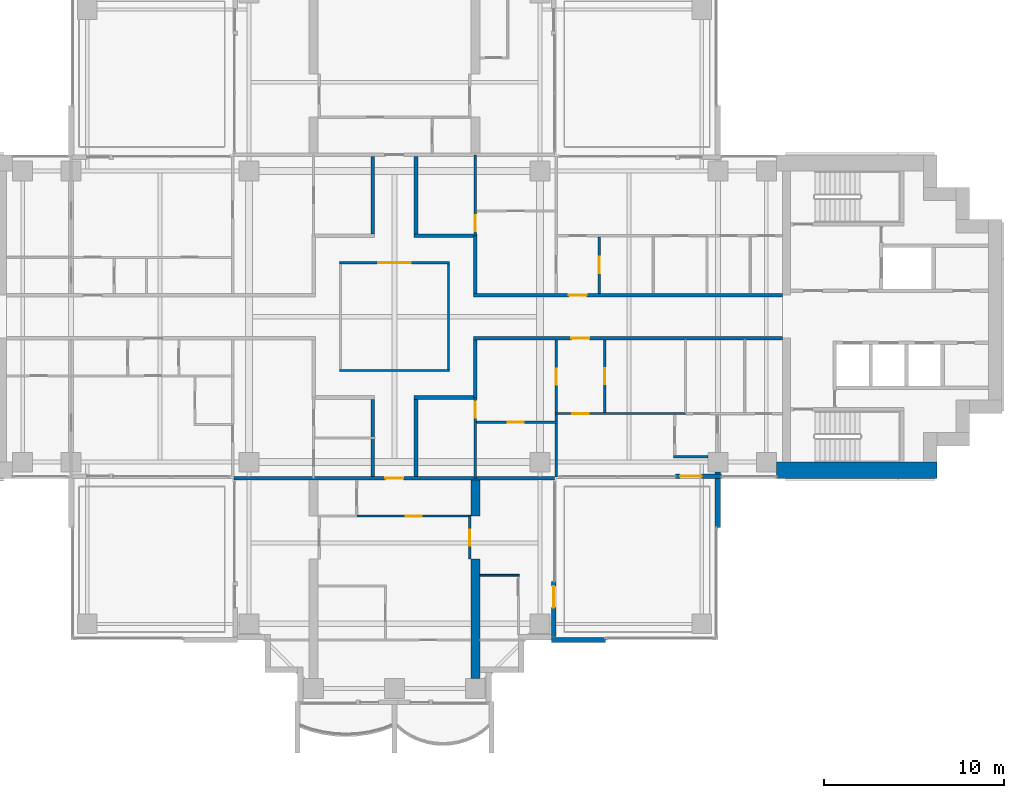
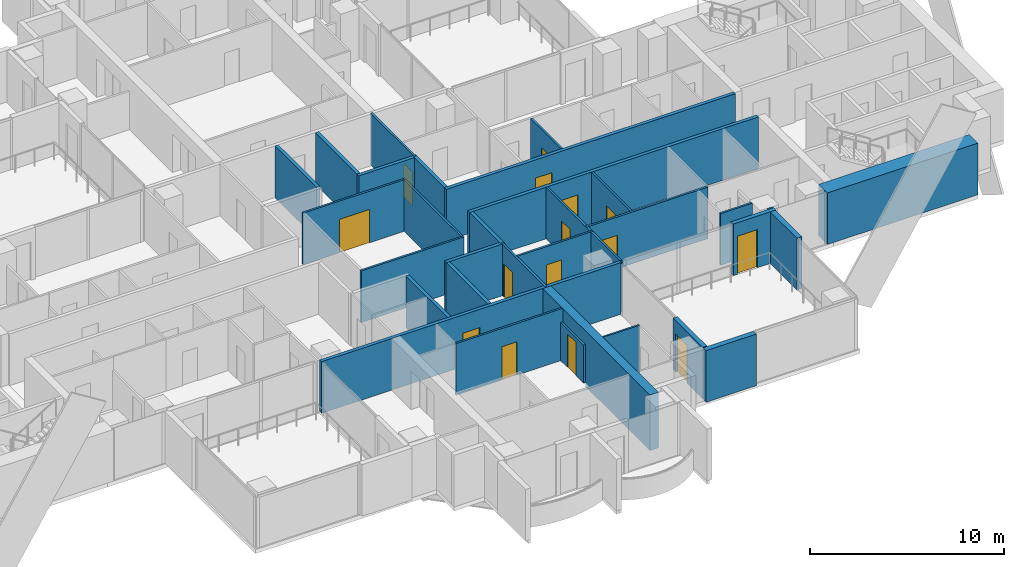
# One storey, part 11 of 19: 31 walls, 15 doors, 15 openings.
"""IFC4 building model written with IfcOpenShell, lengths in metres."""

from ifc_helpers import new_model, si_unit, direction, frame, frame_2d, origin, place, context, subcontext, project, spatial, polyline, rectangle, outline, extrude, material, layer, layer_set, material_profile, profile_set, type_object, element, fill, save


model = new_model("IFC4")

# Units and contexts
model_context = context("Model", 3, precision=1e-05, world=origin(), true_north=direction((0.0, 1.0)))
body_context = subcontext(model_context, "Body", "Model", "MODEL_VIEW")
ifc_project = project(units=[si_unit("LENGTHUNIT", "METRE"), si_unit("AREAUNIT", "SQUARE_METRE"), si_unit("VOLUMEUNIT", "CUBIC_METRE"), si_unit("PLANEANGLEUNIT", "RADIAN"), si_unit("MASSUNIT", "GRAM", prefix="KILO")], contexts=[model_context])

# Site, building, storey
site_placement = place(None, origin())
site = spatial("IfcSite", under=ifc_project, at=site_placement, CompositionType="ELEMENT")
building_placement = place(site_placement, origin())
building = spatial("IfcBuilding", under=site, at=building_placement, Name="Perihelion Cross Residences", CompositionType="ELEMENT")
storey_placement = place(building_placement, frame((0.0, 0.0, 116.39990234375)))
storey = spatial("IfcBuildingStorey", under=building, at=storey_placement, Name="L27", CompositionType="ELEMENT", Elevation=116.39990234375)

# Wall, opening, door
ifc_material_1 = material(Name="Plasterboard partition")
ifc_layer_1 = layer(ifc_material_1, 0.199951171875)
ifc_layer_set_1 = layer_set([ifc_layer_1], Name="Apartment separation wall 200")
wall_type_1 = type_object("IfcWallType", Name="Apartment separation wall 200", PredefinedType="PARTITIONING", material=ifc_layer_set_1)
wall_1_placement = place(storey_placement, frame((4.39990234375, 1.199951171875, 0.0), z_axis=(0.0, 0.0, 1.0), x_axis=(1.0, 0.0, 0.0)))
wall_1 = element("IfcWall", 1, at=wall_1_placement, inside=storey, type_object=wall_type_1, Name="Partition L27 W005", PredefinedType="PARTITIONING", context=body_context, shape_type="SweptSolid", body=[
    extrude(rectangle(XDim=17.2001953125, YDim=0.199951171875, at=frame_2d((8.60009765625, 0.0))), origin(), (0.0, 0.0, 1.0), 3.25),
])
opening_1_placement = place(wall_1_placement, frame((5.300048828125, 0.0, 0.0)))
opening_1 = element("IfcOpeningElement", 2, at=opening_1_placement, cuts=wall_1, Name="Opening L27.A49", PredefinedType="OPENING", context=body_context, shape_type="SweptSolid", body=[
    extrude(rectangle(XDim=1.0, YDim=2.10009765625, at=frame_2d((0.5, 1.050048828125))), frame((0.0, 0.10986328125, 0.0), z_axis=(0.0, -1.0, 0.0), x_axis=(1.0, 0.0, 0.0)), (0.0, 0.0, 1.0), 0.219970703125),
])
ifc_material_2 = material(Name="Timber door leaf", Category="wood")
door_type_1 = type_object("IfcDoorType", Name="Flat entrance door 1000 x 2100", OperationType="SINGLE_SWING_LEFT", PredefinedType="DOOR", material=ifc_material_2)
door_1_placement = place(opening_1_placement, origin())
door_1 = element("IfcDoor", 3, at=door_1_placement, inside=storey, type_object=door_type_1, Name="Door L27.A49", OperationType="SINGLE_SWING_RIGHT", OverallHeight=2.10009765625, OverallWidth=1.0, PredefinedType="DOOR", context=body_context, shape_type="SweptSolid", body=[
    extrude(rectangle(XDim=1.0, YDim=2.10009765625, at=frame_2d((0.5, 1.050048828125))), frame((0.0, 0.02490234375, 0.0), z_axis=(0.0, -1.0, 0.0), x_axis=(1.0, 0.0, 0.0)), (0.0, 0.0, 1.0), 0.050048828125),
])
fill(opening_1, door_1)

# Walls
wall_2_placement = place(storey_placement, frame((4.5, 4.5, 0.0), z_axis=(0.0, 0.0, 1.0), x_axis=(0.0, -1.0, 0.0)))
element("IfcWall", 4, at=wall_2_placement, inside=storey, type_object=wall_type_1, Name="Partition L27 W006", PredefinedType="PARTITIONING", context=body_context, shape_type="SweptSolid", body=[
    extrude(rectangle(XDim=3.199951171875, YDim=0.199951171875, at=frame_2d((1.60009765625, 0.0))), origin(), (0.0, 0.0, 1.0), 3.25),
])
wall_3_placement = place(storey_placement, frame((1.199951171875, 8.89990234375, 0.0), z_axis=(0.0, 0.0, 1.0), x_axis=(0.0, -1.0, 0.0)))
element("IfcWall", 5, at=wall_3_placement, inside=storey, type_object=wall_type_1, Name="Partition L27 W007", PredefinedType="PARTITIONING", context=body_context, shape_type="SweptSolid", body=[
    extrude(rectangle(XDim=4.2998046875, YDim=0.199951171875, at=frame_2d((2.14990234375, 0.0))), origin(), (0.0, 0.0, 1.0), 3.25),
])
wall_4_placement = place(storey_placement, frame((1.10009765625, 4.5, 0.0), z_axis=(0.0, 0.0, 1.0), x_axis=(1.0, 0.0, 0.0)))
element("IfcWall", 6, at=wall_4_placement, inside=storey, type_object=wall_type_1, Name="Partition L27 W008", PredefinedType="PARTITIONING", context=body_context, shape_type="SweptSolid", body=[
    extrude(rectangle(XDim=3.5, YDim=0.199951171875, at=frame_2d((1.75, 0.0))), origin(), (0.0, 0.0, 1.0), 3.25),
])

# Wall, opening, door
wall_5_placement = place(storey_placement, frame((21.60009765625, -1.199951171875, 0.0), z_axis=(0.0, 0.0, 1.0), x_axis=(-1.0, 0.0, 0.0)))
wall_5 = element("IfcWall", 7, at=wall_5_placement, inside=storey, type_object=wall_type_1, Name="Partition L27 W009", PredefinedType="PARTITIONING", context=body_context, shape_type="SweptSolid", body=[
    extrude(rectangle(XDim=17.2001953125, YDim=0.199951171875, at=frame_2d((8.60009765625, 0.0))), origin(), (0.0, 0.0, 1.0), 3.25),
])
opening_2_placement = place(wall_5_placement, frame((10.75, 0.0, 0.0)))
opening_2 = element("IfcOpeningElement", 8, at=opening_2_placement, cuts=wall_5, Name="Opening L27.A50", PredefinedType="OPENING", context=body_context, shape_type="SweptSolid", body=[
    extrude(rectangle(XDim=1.0, YDim=2.10009765625, at=frame_2d((0.5, 1.050048828125))), frame((0.0, 0.10986328125, 0.0), z_axis=(0.0, -1.0, 0.0), x_axis=(1.0, 0.0, 0.0)), (0.0, 0.0, 1.0), 0.219970703125),
])
door_2_placement = place(opening_2_placement, origin())
door_2 = element("IfcDoor", 9, at=door_2_placement, inside=storey, type_object=door_type_1, Name="Door L27.A50", OperationType="SINGLE_SWING_RIGHT", OverallHeight=2.10009765625, OverallWidth=1.0, PredefinedType="DOOR", context=body_context, shape_type="SweptSolid", body=[
    extrude(rectangle(XDim=1.0, YDim=2.10009765625, at=frame_2d((0.5, 1.050048828125))), frame((0.0, 0.02490234375, 0.0), z_axis=(0.0, -1.0, 0.0), x_axis=(1.0, 0.0, 0.0)), (0.0, 0.0, 1.0), 0.050048828125),
])
fill(opening_2, door_2)

# Walls
wall_6_placement = place(storey_placement, frame((4.5, -1.300048828125, 0.0), z_axis=(0.0, 0.0, 1.0), x_axis=(0.0, -1.0, 0.0)))
element("IfcWall", 10, at=wall_6_placement, inside=storey, type_object=wall_type_1, Name="Partition L27 W010", PredefinedType="PARTITIONING", context=body_context, shape_type="SweptSolid", body=[
    extrude(rectangle(XDim=3.199951171875, YDim=0.199951171875, at=frame_2d((1.60009765625, 0.0))), origin(), (0.0, 0.0, 1.0), 3.25),
])
wall_7_placement = place(storey_placement, frame((4.60009765625, -4.5, 0.0), z_axis=(0.0, 0.0, 1.0), x_axis=(-1.0, 0.0, 0.0)))
element("IfcWall", 11, at=wall_7_placement, inside=storey, type_object=wall_type_1, Name="Partition L27 W011", PredefinedType="PARTITIONING", context=body_context, shape_type="SweptSolid", body=[
    extrude(rectangle(XDim=3.5, YDim=0.199951171875, at=frame_2d((1.75, 0.0))), origin(), (0.0, 0.0, 1.0), 3.25),
])
for number, where, z_axis, x_axis, name in (
    (12, (1.199951171875, -4.60009765625, 0.0), (0.0, 0.0, 1.0), (0.0, -1.0, 0.0), "Partition L27 W012"),
    (13, (-1.199951171875, 4.60009765625, 0.0), (0.0, 0.0, 1.0), (0.0, 1.0, 0.0), "Partition L27 W016"),
    (14, (-1.199951171875, -8.89990234375, 0.0), (0.0, 0.0, 1.0), (0.0, 1.0, 0.0), "Partition L27 W019"),
):
    element("IfcWall", number, at=place(storey_placement, frame(where, z_axis=z_axis, x_axis=x_axis)), inside=storey, type_object=wall_type_1, Name=name, PredefinedType="PARTITIONING", context=body_context, shape_type="SweptSolid", body=[
        extrude(rectangle(XDim=4.2998046875, YDim=0.199951171875, at=frame_2d((2.14990234375, 0.0))), origin(), (0.0, 0.0, 1.0), 3.25),
    ])

# Wall, opening, door
wall_8_placement = place(storey_placement, frame((8.919921875, -9.0, 0.0), z_axis=(0.0, 0.0, 1.0), x_axis=(-1.0, 0.0, 0.0)))
wall_8 = element("IfcWall", 15, at=wall_8_placement, inside=storey, type_object=wall_type_1, Name="Partition L27 W022", PredefinedType="PARTITIONING", context=body_context, shape_type="SweptSolid", body=[
    extrude(rectangle(XDim=17.83984375, YDim=0.199951171875, at=frame_2d((8.919921875, 0.0))), origin(), (0.0, 0.0, 1.0), 3.25),
])
opening_3_placement = place(wall_8_placement, frame((8.419921875, 0.0, 0.0)))
opening_3 = element("IfcOpeningElement", 16, at=opening_3_placement, cuts=wall_8, Name="Opening L27.A43", PredefinedType="OPENING", context=body_context, shape_type="SweptSolid", body=[
    extrude(rectangle(XDim=1.0, YDim=2.10009765625, at=frame_2d((0.5, 1.050048828125))), frame((0.0, 0.10986328125, 0.0), z_axis=(0.0, -1.0, 0.0), x_axis=(1.0, 0.0, 0.0)), (0.0, 0.0, 1.0), 0.219970703125),
])
door_3_placement = place(opening_3_placement, origin())
door_3 = element("IfcDoor", 17, at=door_3_placement, inside=storey, type_object=door_type_1, Name="Door L27.A43", OperationType="SINGLE_SWING_LEFT", OverallHeight=2.10009765625, OverallWidth=1.0, PredefinedType="DOOR", context=body_context, shape_type="SweptSolid", body=[
    extrude(rectangle(XDim=1.0, YDim=2.10009765625, at=frame_2d((0.5, 1.050048828125))), frame((0.0, 0.02490234375, 0.0), z_axis=(0.0, -1.0, 0.0), x_axis=(1.0, 0.0, 0.0)), (0.0, 0.0, 1.0), 0.050048828125),
])
fill(opening_3, door_3)

ifc_material_3 = material(Name="Concrete C30/37, bronze-clad", Category="concrete")
ifc_layer_2 = layer(ifc_material_3, 0.25)
ifc_layer_set_2 = layer_set([ifc_layer_2], Name="Bronze-clad pier wall 250")
wall_type_2 = type_object("IfcWallType", Name="Bronze-clad pier wall 250", PredefinedType="SOLIDWALL", material=ifc_layer_set_2)
wall_9_placement = place(storey_placement, frame((8.875, -17.800048828125, 0.0), z_axis=(0.0, 0.0, 1.0), x_axis=(0.0, 1.0, 0.0)))
wall_9 = element("IfcWall", 18, at=wall_9_placement, inside=storey, type_object=wall_type_2, Name="Wall FW1 L27 south side east bay 1 pier", PredefinedType="SOLIDWALL", context=body_context, shape_type="SweptSolid", body=[
    extrude(rectangle(XDim=3.050048828125, YDim=0.25, at=frame_2d((1.52490234375, 0.0))), origin(), (0.0, 0.0, 1.0), 3.25),
])
opening_4_placement = place(wall_9_placement, frame((1.60009765625, 0.0, 0.0)))
opening_4 = element("IfcOpeningElement", 19, at=opening_4_placement, cuts=wall_9, Name="Opening L27.E13", PredefinedType="OPENING", context=body_context, shape_type="SweptSolid", body=[
    extrude(rectangle(XDim=1.199951171875, YDim=2.39990234375, at=frame_2d((0.60009765625, 1.199951171875))), frame((0.0, 0.135009765625, 0.0), z_axis=(0.0, -1.0, 0.0), x_axis=(1.0, 0.0, 0.0)), (0.0, 0.0, 1.0), 0.27001953125),
])
ifc_material_4 = material(Name="Bronze anodised aluminium, glazed", Category="aluminium")
door_type_2 = type_object("IfcDoorType", Name="Balcony door 1200 x 2400", OperationType="NOTDEFINED", PredefinedType="DOOR", material=ifc_material_4)
door_4_placement = place(opening_4_placement, origin())
door_4 = element("IfcDoor", 20, at=door_4_placement, inside=storey, type_object=door_type_2, Name="Door L27.E13 south side east bay 1", OperationType="SINGLE_SWING_RIGHT", OverallHeight=2.39990234375, OverallWidth=1.199951171875, PredefinedType="DOOR", context=body_context, shape_type="SweptSolid", body=[
    extrude(rectangle(XDim=1.199951171875, YDim=2.39990234375, at=frame_2d((0.60009765625, 1.199951171875))), frame((0.0, 0.02490234375, 0.0), z_axis=(0.0, -1.0, 0.0), x_axis=(1.0, 0.0, 0.0)), (0.0, 0.0, 1.0), 0.050048828125),
])
fill(opening_4, door_4)

wall_10_placement = place(storey_placement, frame((15.64990234375, -8.875, 0.0), z_axis=(0.0, 0.0, 1.0), x_axis=(1.0, 0.0, 0.0)))
wall_10 = element("IfcWall", 21, at=wall_10_placement, inside=storey, type_object=wall_type_2, Name="Wall FW1 L27 east side south bay 1 pier", PredefinedType="SOLIDWALL", context=body_context, shape_type="SweptSolid", body=[
    extrude(rectangle(XDim=2.550048828125, YDim=0.25, at=frame_2d((1.27490234375, 0.0))), origin(), (0.0, 0.0, 1.0), 3.25),
])
opening_5_placement = place(wall_10_placement, frame((0.25, 0.0, 0.0)))
opening_5 = element("IfcOpeningElement", 22, at=opening_5_placement, cuts=wall_10, Name="Opening L27.E14", PredefinedType="OPENING", context=body_context, shape_type="SweptSolid", body=[
    extrude(rectangle(XDim=1.199951171875, YDim=2.39990234375, at=frame_2d((0.60009765625, 1.199951171875))), frame((0.0, 0.135009765625, 0.0), z_axis=(0.0, -1.0, 0.0), x_axis=(1.0, 0.0, 0.0)), (0.0, 0.0, 1.0), 0.27001953125),
])
door_5_placement = place(opening_5_placement, origin())
door_5 = element("IfcDoor", 23, at=door_5_placement, inside=storey, type_object=door_type_2, Name="Door L27.E14 east side south bay 1", OperationType="SINGLE_SWING_LEFT", OverallHeight=2.39990234375, OverallWidth=1.199951171875, PredefinedType="DOOR", context=body_context, shape_type="SweptSolid", body=[
    extrude(rectangle(XDim=1.199951171875, YDim=2.39990234375, at=frame_2d((0.60009765625, 1.199951171875))), frame((0.0, 0.02490234375, 0.0), z_axis=(0.0, -1.0, 0.0), x_axis=(1.0, 0.0, 0.0)), (0.0, 0.0, 1.0), 0.050048828125),
])
fill(opening_5, door_5)

# Wall
ifc_material_5 = material(Name="Concrete C60/75", Category="concrete")
ifc_layer_3 = layer(ifc_material_5, 0.89990234375)
ifc_layer_set_3 = layer_set([ifc_layer_3], Name="Core wall, outer 900")
wall_type_3 = type_object("IfcWallType", Name="Core wall, outer 900", PredefinedType="SHEAR", material=ifc_layer_set_3)
wall_11_placement = place(storey_placement, frame((21.25, -8.550048828125, 0.0), z_axis=(0.0, 0.0, 1.0), x_axis=(1.0, 0.0, 0.0)))
element("IfcWall", 24, at=wall_11_placement, inside=storey, type_object=wall_type_3, Name="East core core wall, outer", PredefinedType="SHEAR", context=body_context, shape_type="SweptSolid", body=[
    extrude(rectangle(XDim=8.949951171875, YDim=0.89990234375, at=frame_2d((4.47509765625, 0.0))), origin(), (0.0, 0.0, 1.0), 3.25),
])

# Wall, opening, door
ifc_material_6 = material(Name="Plasterboard partition")
ifc_layer_4 = layer(ifc_material_6, 0.1201171875)
ifc_layer_set_4 = layer_set([ifc_layer_4], Name="Infill panel 120")
wall_type_4 = type_object("IfcWallType", Name="Infill panel 120", PredefinedType="PARTITIONING", material=ifc_layer_set_4)
wall_12_placement = place(storey_placement, frame((4.18994140625, -11.10009765625, 0.0), z_axis=(0.0, 0.0, 1.0), x_axis=(0.0, -1.0, 0.0)))
wall_12 = element("IfcWall", 25, at=wall_12_placement, inside=storey, type_object=wall_type_4, Name="Partition L27 WI05", PredefinedType="PARTITIONING", context=body_context, shape_type="SweptSolid", body=[
    extrude(rectangle(XDim=2.39990234375, YDim=0.1201171875, at=frame_2d((1.199951171875, 0.0))), origin(), (0.0, 0.0, 1.0), 2.400146484375),
])
opening_6_placement = place(wall_12_placement, frame((0.75, 0.0, 0.0)))
opening_6 = element("IfcOpeningElement", 26, at=opening_6_placement, cuts=wall_12, Name="Opening L27.A57", PredefinedType="OPENING", context=body_context, shape_type="SweptSolid", body=[
    extrude(rectangle(XDim=0.89990234375, YDim=2.10009765625, at=frame_2d((0.449951171875, 1.050048828125))), frame((0.0, 0.070068359375, 0.0), z_axis=(0.0, -1.0, 0.0), x_axis=(1.0, 0.0, 0.0)), (0.0, 0.0, 1.0), 0.14013671875),
])
ifc_material_7 = material(Name="Timber door leaf", Category="wood")
door_type_3 = type_object("IfcDoorType", Name="Interior room door 900 x 2100", OperationType="SINGLE_SWING_LEFT", PredefinedType="DOOR", material=ifc_material_7)
door_6_placement = place(opening_6_placement, origin())
door_6 = element("IfcDoor", 27, at=door_6_placement, inside=storey, type_object=door_type_3, Name="Door L27.A57", OperationType="SINGLE_SWING_RIGHT", OverallHeight=2.10009765625, OverallWidth=0.89990234375, PredefinedType="DOOR", context=body_context, shape_type="SweptSolid", body=[
    extrude(rectangle(XDim=0.89990234375, YDim=2.10009765625, at=frame_2d((0.449951171875, 1.050048828125))), frame((0.0, 0.02490234375, 0.0), z_axis=(0.0, -1.0, 0.0), x_axis=(1.0, 0.0, 0.0)), (0.0, 0.0, 1.0), 0.050048828125),
])
fill(opening_6, door_6)

# Walls
ifc_material_8 = material(Name="Plasterboard partition")
ifc_layer_5 = layer(ifc_material_8, 0.1201171875)
ifc_layer_set_5 = layer_set([ifc_layer_5], Name="Partition wall 120")
wall_type_5 = type_object("IfcWallType", Name="Partition wall 120", PredefinedType="PARTITIONING", material=ifc_layer_set_5)
wall_13_placement = place(storey_placement, frame((-3.06005859375, -3.0, 0.0), z_axis=(0.0, 0.0, 1.0), x_axis=(1.0, 0.0, 0.0)))
element("IfcWall", 28, at=wall_13_placement, inside=storey, type_object=wall_type_5, Name="Partition L27 W001", PredefinedType="PARTITIONING", context=body_context, shape_type="SweptSolid", body=[
    extrude(rectangle(XDim=6.1201171875, YDim=0.1201171875, at=frame_2d((3.06005859375, 0.0))), origin(), (0.0, 0.0, 1.0), 3.25),
])
wall_14_placement = place(storey_placement, frame((3.0, -2.93994140625, 0.0), z_axis=(0.0, 0.0, 1.0), x_axis=(0.0, 1.0, 0.0)))
element("IfcWall", 29, at=wall_14_placement, inside=storey, type_object=wall_type_5, Name="Partition L27 W002", PredefinedType="PARTITIONING", context=body_context, shape_type="SweptSolid", body=[
    extrude(rectangle(XDim=5.8798828125, YDim=0.1201171875, at=frame_2d((2.93994140625, 0.0))), origin(), (0.0, 0.0, 1.0), 3.25),
])

# Wall, opening, door
wall_15_placement = place(storey_placement, frame((3.06005859375, 3.0, 0.0), z_axis=(0.0, 0.0, 1.0), x_axis=(-1.0, 0.0, 0.0)))
wall_15 = element("IfcWall", 30, at=wall_15_placement, inside=storey, type_object=wall_type_5, Name="Partition L27 W003", PredefinedType="PARTITIONING", context=body_context, shape_type="SweptSolid", body=[
    extrude(rectangle(XDim=6.1201171875, YDim=0.1201171875, at=frame_2d((3.06005859375, 0.0))), origin(), (0.0, 0.0, 1.0), 3.25),
])
opening_7_placement = place(wall_15_placement, frame((2.159912109375, 0.0, 0.0)))
opening_7 = element("IfcOpeningElement", 31, at=opening_7_placement, cuts=wall_15, Name="Opening L27.A01", PredefinedType="OPENING", context=body_context, shape_type="SweptSolid", body=[
    extrude(rectangle(XDim=1.800048828125, YDim=2.10009765625, at=frame_2d((0.89990234375, 1.050048828125))), frame((0.0, 0.070068359375, 0.0), z_axis=(0.0, -1.0, 0.0), x_axis=(1.0, 0.0, 0.0)), (0.0, 0.0, 1.0), 0.14013671875),
])
ifc_material_9 = material(Name="Glazed timber door leaf", Category="wood")
door_type_4 = type_object("IfcDoorType", Name="Interior double leaf door 1800 x 2100", OperationType="DOUBLE_DOOR_SINGLE_SWING", PredefinedType="DOOR", material=ifc_material_9)
door_7_placement = place(opening_7_placement, origin())
door_7 = element("IfcDoor", 32, at=door_7_placement, inside=storey, type_object=door_type_4, Name="Door L27.A01", OperationType="SINGLE_SWING_LEFT", OverallHeight=2.10009765625, OverallWidth=1.800048828125, PredefinedType="DOOR", context=body_context, shape_type="SweptSolid", body=[
    extrude(rectangle(XDim=1.800048828125, YDim=2.10009765625, at=frame_2d((0.89990234375, 1.050048828125))), frame((0.0, 0.02490234375, 0.0), z_axis=(0.0, -1.0, 0.0), x_axis=(1.0, 0.0, 0.0)), (0.0, 0.0, 1.0), 0.050048828125),
])
fill(opening_7, door_7)

wall_16_placement = place(storey_placement, frame((11.39990234375, 4.43994140625, 0.0), z_axis=(0.0, 0.0, 1.0), x_axis=(0.0, -1.0, 0.0)))
wall_16 = element("IfcWall", 33, at=wall_16_placement, inside=storey, type_object=wall_type_5, Name="Partition L27 W023", PredefinedType="PARTITIONING", context=body_context, shape_type="SweptSolid", body=[
    extrude(rectangle(XDim=3.139892578125, YDim=0.1201171875, at=frame_2d((1.56982421875, 0.0))), origin(), (0.0, 0.0, 1.0), 3.25),
])
opening_8_placement = place(wall_16_placement, frame((1.1201171875, 0.0, 0.0)))
opening_8 = element("IfcOpeningElement", 34, at=opening_8_placement, cuts=wall_16, Name="Opening L27.A05", PredefinedType="OPENING", context=body_context, shape_type="SweptSolid", body=[
    extrude(rectangle(XDim=0.89990234375, YDim=2.10009765625, at=frame_2d((0.449951171875, 1.050048828125))), frame((0.0, 0.070068359375, 0.0), z_axis=(0.0, -1.0, 0.0), x_axis=(1.0, 0.0, 0.0)), (0.0, 0.0, 1.0), 0.14013671875),
])
door_8_placement = place(opening_8_placement, origin())
door_8 = element("IfcDoor", 35, at=door_8_placement, inside=storey, type_object=door_type_3, Name="Door L27.A05", OperationType="SINGLE_SWING_RIGHT", OverallHeight=2.10009765625, OverallWidth=0.89990234375, PredefinedType="DOOR", context=body_context, shape_type="SweptSolid", body=[
    extrude(rectangle(XDim=0.89990234375, YDim=2.10009765625, at=frame_2d((0.449951171875, 1.050048828125))), frame((0.0, 0.02490234375, 0.0), z_axis=(0.0, -1.0, 0.0), x_axis=(1.0, 0.0, 0.0)), (0.0, 0.0, 1.0), 0.050048828125),
])
fill(opening_8, door_8)

wall_17_placement = place(storey_placement, frame((4.5, 4.5, 0.0), z_axis=(0.0, 0.0, 1.0), x_axis=(0.0, 1.0, 0.0)))
wall_17 = element("IfcWall", 36, at=wall_17_placement, inside=storey, type_object=wall_type_5, Name="Partition L27 W033", PredefinedType="PARTITIONING", context=body_context, shape_type="SweptSolid", body=[
    extrude(rectangle(XDim=4.5, YDim=0.1201171875, at=frame_2d((2.25, 0.0))), origin(), (0.0, 0.0, 1.0), 3.25),
])
opening_9_placement = place(wall_17_placement, frame((0.239990234375, 0.0, 0.0)))
opening_9 = element("IfcOpeningElement", 37, at=opening_9_placement, cuts=wall_17, Name="Opening L27.A03", PredefinedType="OPENING", context=body_context, shape_type="SweptSolid", body=[
    extrude(rectangle(XDim=0.89990234375, YDim=2.10009765625, at=frame_2d((0.449951171875, 1.050048828125))), frame((0.0, 0.070068359375, 0.0), z_axis=(0.0, -1.0, 0.0), x_axis=(1.0, 0.0, 0.0)), (0.0, 0.0, 1.0), 0.14013671875),
])
door_9_placement = place(opening_9_placement, origin())
door_9 = element("IfcDoor", 38, at=door_9_placement, inside=storey, type_object=door_type_3, Name="Door L27.A03", OperationType="SINGLE_SWING_LEFT", OverallHeight=2.10009765625, OverallWidth=0.89990234375, PredefinedType="DOOR", context=body_context, shape_type="SweptSolid", body=[
    extrude(rectangle(XDim=0.89990234375, YDim=2.10009765625, at=frame_2d((0.449951171875, 1.050048828125))), frame((0.0, 0.02490234375, 0.0), z_axis=(0.0, -1.0, 0.0), x_axis=(1.0, 0.0, 0.0)), (0.0, 0.0, 1.0), 0.050048828125),
])
fill(opening_9, door_9)

wall_18_placement = place(storey_placement, frame((11.699951171875, -1.300048828125, 0.0), z_axis=(0.0, 0.0, 1.0), x_axis=(0.0, -1.0, 0.0)))
wall_18 = element("IfcWall", 39, at=wall_18_placement, inside=storey, type_object=wall_type_5, Name="Partition L27 W034", PredefinedType="PARTITIONING", context=body_context, shape_type="SweptSolid", body=[
    extrude(rectangle(XDim=4.0400390625, YDim=0.1201171875, at=frame_2d((2.02001953125, 0.0))), origin(), (0.0, 0.0, 1.0), 3.25),
])
opening_10_placement = place(wall_18_placement, frame((1.570068359375, 0.0, 0.0)))
opening_10 = element("IfcOpeningElement", 40, at=opening_10_placement, cuts=wall_18, Name="Opening L27.A14", PredefinedType="OPENING", context=body_context, shape_type="SweptSolid", body=[
    extrude(rectangle(XDim=0.89990234375, YDim=2.10009765625, at=frame_2d((0.449951171875, 1.050048828125))), frame((0.0, 0.070068359375, 0.0), z_axis=(0.0, -1.0, 0.0), x_axis=(1.0, 0.0, 0.0)), (0.0, 0.0, 1.0), 0.14013671875),
])
door_10_placement = place(opening_10_placement, origin())
door_10 = element("IfcDoor", 41, at=door_10_placement, inside=storey, type_object=door_type_3, Name="Door L27.A14", OperationType="SINGLE_SWING_RIGHT", OverallHeight=2.10009765625, OverallWidth=0.89990234375, PredefinedType="DOOR", context=body_context, shape_type="SweptSolid", body=[
    extrude(rectangle(XDim=0.89990234375, YDim=2.10009765625, at=frame_2d((0.449951171875, 1.050048828125))), frame((0.0, 0.02490234375, 0.0), z_axis=(0.0, -1.0, 0.0), x_axis=(1.0, 0.0, 0.0)), (0.0, 0.0, 1.0), 0.050048828125),
])
fill(opening_10, door_10)

wall_19_placement = place(storey_placement, frame((16.199951171875, -5.39990234375, 0.0), z_axis=(0.0, 0.0, 1.0), x_axis=(-1.0, 0.0, 0.0)))
wall_19 = element("IfcWall", 42, at=wall_19_placement, inside=storey, type_object=wall_type_5, Name="Partition L27 W035", PredefinedType="PARTITIONING", context=body_context, shape_type="SweptSolid", body=[
    extrude(rectangle(XDim=7.260009765625, YDim=0.1201171875, at=frame_2d((3.6298828125, 0.0))), origin(), (0.0, 0.0, 1.0), 3.25),
])
opening_11_placement = place(wall_19_placement, frame((5.39990234375, 0.0, 0.0)))
opening_11 = element("IfcOpeningElement", 43, at=opening_11_placement, cuts=wall_19, Name="Opening L27.A18", PredefinedType="OPENING", context=body_context, shape_type="SweptSolid", body=[
    extrude(rectangle(XDim=0.89990234375, YDim=2.10009765625, at=frame_2d((0.449951171875, 1.050048828125))), frame((0.0, 0.070068359375, 0.0), z_axis=(0.0, -1.0, 0.0), x_axis=(1.0, 0.0, 0.0)), (0.0, 0.0, 1.0), 0.14013671875),
])
door_11_placement = place(opening_11_placement, origin())
door_11 = element("IfcDoor", 44, at=door_11_placement, inside=storey, type_object=door_type_3, Name="Door L27.A18", OperationType="SINGLE_SWING_LEFT", OverallHeight=2.10009765625, OverallWidth=0.89990234375, PredefinedType="DOOR", context=body_context, shape_type="SweptSolid", body=[
    extrude(rectangle(XDim=0.89990234375, YDim=2.10009765625, at=frame_2d((0.449951171875, 1.050048828125))), frame((0.0, 0.02490234375, 0.0), z_axis=(0.0, -1.0, 0.0), x_axis=(1.0, 0.0, 0.0)), (0.0, 0.0, 1.0), 0.050048828125),
])
fill(opening_11, door_11)

wall_20_placement = place(storey_placement, frame((9.0, -8.919921875, 0.0), z_axis=(0.0, 0.0, 1.0), x_axis=(0.0, 1.0, 0.0)))
wall_20 = element("IfcWall", 45, at=wall_20_placement, inside=storey, type_object=wall_type_5, Name="Partition L27 W036", PredefinedType="PARTITIONING", context=body_context, shape_type="SweptSolid", body=[
    extrude(rectangle(XDim=7.619873046875, YDim=0.1201171875, at=frame_2d((3.81005859375, 0.0))), origin(), (0.0, 0.0, 1.0), 3.25),
])
opening_12_placement = place(wall_20_placement, frame((5.1201171875, 0.0, 0.0)))
opening_12 = element("IfcOpeningElement", 46, at=opening_12_placement, cuts=wall_20, Name="Opening L27.A12", PredefinedType="OPENING", context=body_context, shape_type="SweptSolid", body=[
    extrude(rectangle(XDim=0.89990234375, YDim=2.10009765625, at=frame_2d((0.449951171875, 1.050048828125))), frame((0.0, 0.070068359375, 0.0), z_axis=(0.0, -1.0, 0.0), x_axis=(1.0, 0.0, 0.0)), (0.0, 0.0, 1.0), 0.14013671875),
])
door_12_placement = place(opening_12_placement, origin())
door_12 = element("IfcDoor", 47, at=door_12_placement, inside=storey, type_object=door_type_3, Name="Door L27.A12", OperationType="SINGLE_SWING_RIGHT", OverallHeight=2.10009765625, OverallWidth=0.89990234375, PredefinedType="DOOR", context=body_context, shape_type="SweptSolid", body=[
    extrude(rectangle(XDim=0.89990234375, YDim=2.10009765625, at=frame_2d((0.449951171875, 1.050048828125))), frame((0.0, 0.02490234375, 0.0), z_axis=(0.0, -1.0, 0.0), x_axis=(1.0, 0.0, 0.0)), (0.0, 0.0, 1.0), 0.050048828125),
])
fill(opening_12, door_12)

# Wall
wall_21_placement = place(storey_placement, frame((15.5400390625, -7.800048828125, 0.0), z_axis=(0.0, 0.0, 1.0), x_axis=(1.0, 0.0, 0.0)))
element("IfcWall", 48, at=wall_21_placement, inside=storey, type_object=wall_type_5, Name="Partition L27 W041", PredefinedType="PARTITIONING", context=body_context, shape_type="SweptSolid", body=[
    extrude(rectangle(XDim=1.909912109375, YDim=0.1201171875, at=frame_2d((0.955078125, 0.0))), origin(), (0.0, 0.0, 1.0), 3.25),
])

# Wall, opening, door
wall_22_placement = place(storey_placement, frame((9.06005859375, -5.8798828125, 0.0), z_axis=(0.0, 0.0, 1.0), x_axis=(-1.0, 0.0, 0.0)))
wall_22 = element("IfcWall", 49, at=wall_22_placement, inside=storey, type_object=wall_type_5, Name="Partition L27 W043", PredefinedType="PARTITIONING", context=body_context, shape_type="SweptSolid", body=[
    extrude(rectangle(XDim=4.6201171875, YDim=0.1201171875, at=frame_2d((2.31005859375, 0.0))), origin(), (0.0, 0.0, 1.0), 3.25),
])
opening_13_placement = place(wall_22_placement, frame((1.860107421875, 0.0, 0.0)))
opening_13 = element("IfcOpeningElement", 50, at=opening_13_placement, cuts=wall_22, Name="Opening L27.A15", PredefinedType="OPENING", context=body_context, shape_type="SweptSolid", body=[
    extrude(rectangle(XDim=0.89990234375, YDim=2.10009765625, at=frame_2d((0.449951171875, 1.050048828125))), frame((0.0, 0.070068359375, 0.0), z_axis=(0.0, -1.0, 0.0), x_axis=(1.0, 0.0, 0.0)), (0.0, 0.0, 1.0), 0.14013671875),
])
door_13_placement = place(opening_13_placement, origin())
door_13 = element("IfcDoor", 51, at=door_13_placement, inside=storey, type_object=door_type_3, Name="Door L27.A15", OperationType="SINGLE_SWING_LEFT", OverallHeight=2.10009765625, OverallWidth=0.89990234375, PredefinedType="DOOR", context=body_context, shape_type="SweptSolid", body=[
    extrude(rectangle(XDim=0.89990234375, YDim=2.10009765625, at=frame_2d((0.449951171875, 1.050048828125))), frame((0.0, 0.02490234375, 0.0), z_axis=(0.0, -1.0, 0.0), x_axis=(1.0, 0.0, 0.0)), (0.0, 0.0, 1.0), 0.050048828125),
])
fill(opening_13, door_13)

wall_23_placement = place(storey_placement, frame((4.5, -9.0, 0.0), z_axis=(0.0, 0.0, 1.0), x_axis=(0.0, 1.0, 0.0)))
wall_23 = element("IfcWall", 52, at=wall_23_placement, inside=storey, type_object=wall_type_5, Name="Partition L27 W044", PredefinedType="PARTITIONING", context=body_context, shape_type="SweptSolid", body=[
    extrude(rectangle(XDim=4.5, YDim=0.1201171875, at=frame_2d((2.25, 0.0))), origin(), (0.0, 0.0, 1.0), 3.25),
])
opening_14_placement = place(wall_23_placement, frame((3.360107421875, 0.0, 0.0)))
opening_14 = element("IfcOpeningElement", 53, at=opening_14_placement, cuts=wall_23, Name="Opening L27.A10", PredefinedType="OPENING", context=body_context, shape_type="SweptSolid", body=[
    extrude(rectangle(XDim=0.89990234375, YDim=2.10009765625, at=frame_2d((0.449951171875, 1.050048828125))), frame((0.0, 0.070068359375, 0.0), z_axis=(0.0, -1.0, 0.0), x_axis=(1.0, 0.0, 0.0)), (0.0, 0.0, 1.0), 0.14013671875),
])
door_14_placement = place(opening_14_placement, origin())
door_14 = element("IfcDoor", 54, at=door_14_placement, inside=storey, type_object=door_type_3, Name="Door L27.A10", OperationType="SINGLE_SWING_LEFT", OverallHeight=2.10009765625, OverallWidth=0.89990234375, PredefinedType="DOOR", context=body_context, shape_type="SweptSolid", body=[
    extrude(rectangle(XDim=0.89990234375, YDim=2.10009765625, at=frame_2d((0.449951171875, 1.050048828125))), frame((0.0, 0.02490234375, 0.0), z_axis=(0.0, -1.0, 0.0), x_axis=(1.0, 0.0, 0.0)), (0.0, 0.0, 1.0), 0.050048828125),
])
fill(opening_14, door_14)

wall_24_placement = place(storey_placement, frame((4.25, -11.10009765625, 0.0), z_axis=(0.0, 0.0, 1.0), x_axis=(-1.0, 0.0, 0.0)))
wall_24 = element("IfcWall", 55, at=wall_24_placement, inside=storey, type_object=wall_type_5, Name="Partition L27 W083", PredefinedType="PARTITIONING", context=body_context, shape_type="SweptSolid", body=[
    extrude(rectangle(XDim=6.35009765625, YDim=0.1201171875, at=frame_2d((3.175048828125, 0.0))), origin(), (0.0, 0.0, 1.0), 3.25),
])
opening_15_placement = place(wall_24_placement, frame((2.72509765625, 0.0, 0.0)))
opening_15 = element("IfcOpeningElement", 56, at=opening_15_placement, cuts=wall_24, Name="Opening L27.A45", PredefinedType="OPENING", context=body_context, shape_type="SweptSolid", body=[
    extrude(rectangle(XDim=0.89990234375, YDim=2.10009765625, at=frame_2d((0.449951171875, 1.050048828125))), frame((0.0, 0.070068359375, 0.0), z_axis=(0.0, -1.0, 0.0), x_axis=(1.0, 0.0, 0.0)), (0.0, 0.0, 1.0), 0.14013671875),
])
door_15_placement = place(opening_15_placement, origin())
door_15 = element("IfcDoor", 57, at=door_15_placement, inside=storey, type_object=door_type_3, Name="Door L27.A45", OperationType="SINGLE_SWING_RIGHT", OverallHeight=2.10009765625, OverallWidth=0.89990234375, PredefinedType="DOOR", context=body_context, shape_type="SweptSolid", body=[
    extrude(rectangle(XDim=0.89990234375, YDim=2.10009765625, at=frame_2d((0.449951171875, 1.050048828125))), frame((0.0, 0.02490234375, 0.0), z_axis=(0.0, -1.0, 0.0), x_axis=(1.0, 0.0, 0.0)), (0.0, 0.0, 1.0), 0.050048828125),
])
fill(opening_15, door_15)

# Walls
ifc_material_10 = material(Name="Precast concrete C50/60", Category="concrete")
ifc_layer_6 = layer(ifc_material_10, 0.300048828125)
ifc_layer_set_6 = layer_set([ifc_layer_6], Name="Precast concrete C50/60 blade wall 300")
wall_type_6 = type_object("IfcWallType", Name="Precast concrete C50/60 blade wall 300", PredefinedType="SOLIDWALL", material=ifc_layer_set_6)
wall_25_placement = place(storey_placement, frame((8.75, -18.0, 0.0), z_axis=(0.0, 0.0, 1.0), x_axis=(1.0, 0.0, 0.0)))
element("IfcWall", 58, at=wall_25_placement, inside=storey, type_object=wall_type_6, Name="Wall BL1 L27 no. 14", PredefinedType="SOLIDWALL", context=body_context, shape_type="SweptSolid", body=[
    extrude(rectangle(XDim=2.989990234375, YDim=0.300048828125, at=frame_2d((1.4951171875, 0.0))), origin(), (0.0, 0.0, 1.0), 3.25),
])
wall_26_placement = place(storey_placement, frame((18.0, -8.64990234375, 0.0), z_axis=(0.0, 0.0, 1.0), x_axis=(0.0, -1.0, 0.0)))
element("IfcWall", 59, at=wall_26_placement, inside=storey, type_object=wall_type_6, Name="Wall BL1 L27 no. 10", PredefinedType="SOLIDWALL", context=body_context, shape_type="SweptSolid", body=[
    extrude(rectangle(XDim=3.090087890625, YDim=0.300048828125, at=frame_2d((1.544921875, 0.0))), origin(), (0.0, 0.0, 1.0), 3.25),
])
ifc_material_11 = material(Name="Concrete C60/75", Category="concrete")
ifc_material_profile = material_profile(ifc_material_11, outline(polyline([(0.0, 0.0), (6.64990234375, 0.0), (6.64990234375, 2.64990234375), (9.050048828125, 2.64990234375), (9.050048828125, 0.0), (11.14990234375, 0.0), (11.14990234375, 3.5), (0.0, 3.5), (0.0, 0.0)])), Name="Tip spine wall")
ifc_profile_set = profile_set([ifc_material_profile], Name="Concrete C60/75")
wall_type_7 = type_object("IfcWallType", Name="Tip spine wall 500 with 1 door openings 11150 long 3500 high concrete C60/75", PredefinedType="SHEAR", material=ifc_profile_set)
wall_27_placement = place(storey_placement, frame((4.25, -20.14990234375, -0.25), z_axis=(1.0, 0.0, 0.0), x_axis=(0.0, 1.0, 0.0)))
element("IfcWall", 60, at=wall_27_placement, inside=storey, type_object=wall_type_7, Name="Shear wall SW33 L27 south east", PredefinedType="SHEAR", context=body_context, shape_type="SweptSolid", body=[
    extrude(outline(polyline([(0.0, 0.0), (6.64990234375, 0.0), (6.64990234375, 2.64990234375), (9.050048828125, 2.64990234375), (9.050048828125, 0.0), (11.14990234375, 0.0), (11.14990234375, 3.5), (0.0, 3.5), (0.0, 0.0)])), origin(), (0.0, 0.0, 1.0), 0.5),
])
ifc_material_12 = material(Name="Plasterboard partition")
ifc_layer_7 = layer(ifc_material_12, 0.10009765625)
ifc_layer_set_7 = layer_set([ifc_layer_7], Name="Wet room wall 100")
wall_type_8 = type_object("IfcWallType", Name="Wet room wall 100", PredefinedType="PARTITIONING", material=ifc_layer_set_7)
wall_28_placement = place(storey_placement, frame((6.949951171875, -14.39990234375, 0.0), z_axis=(0.0, 0.0, 1.0), x_axis=(-1.0, 0.0, 0.0)))
element("IfcWall", 61, at=wall_28_placement, inside=storey, type_object=wall_type_8, Name="Partition L27 W089", PredefinedType="PARTITIONING", context=body_context, shape_type="SweptSolid", body=[
    extrude(rectangle(XDim=2.199951171875, YDim=0.10009765625, at=frame_2d((1.10009765625, 0.0))), origin(), (0.0, 0.0, 1.0), 3.25),
])

save(model, "model.ifc")
